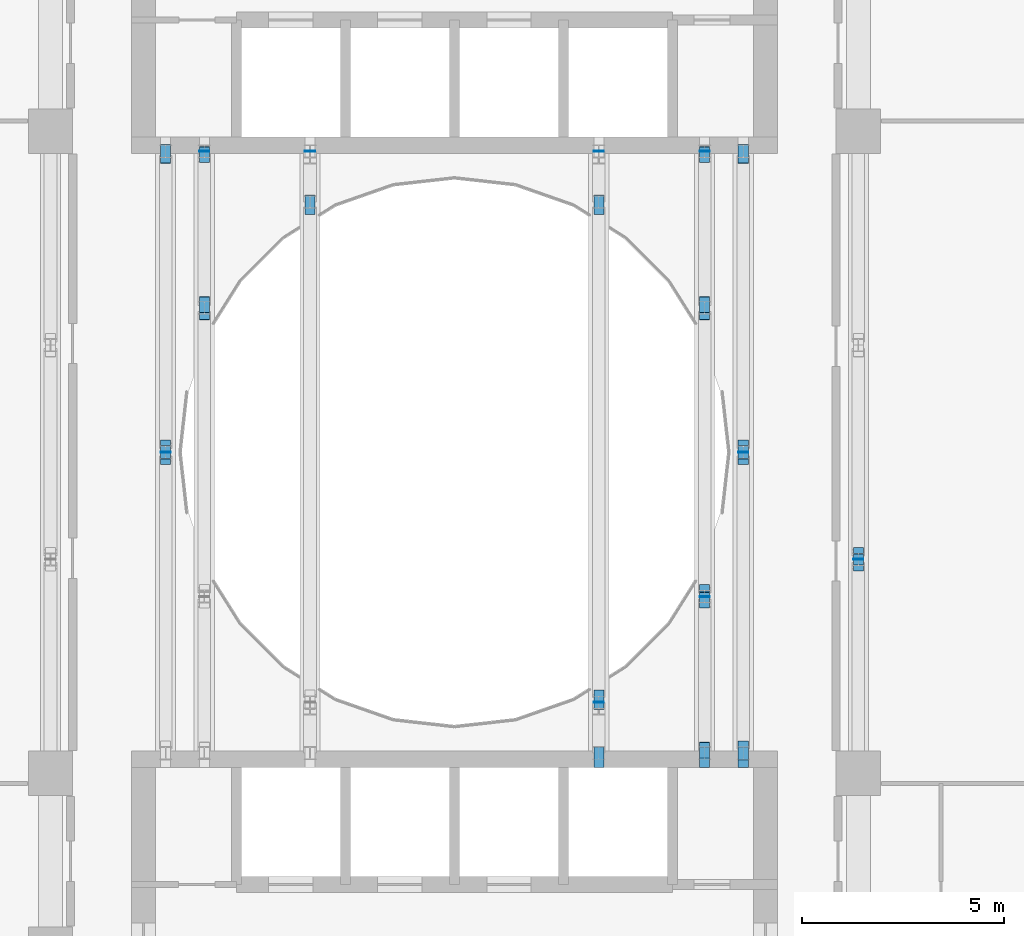
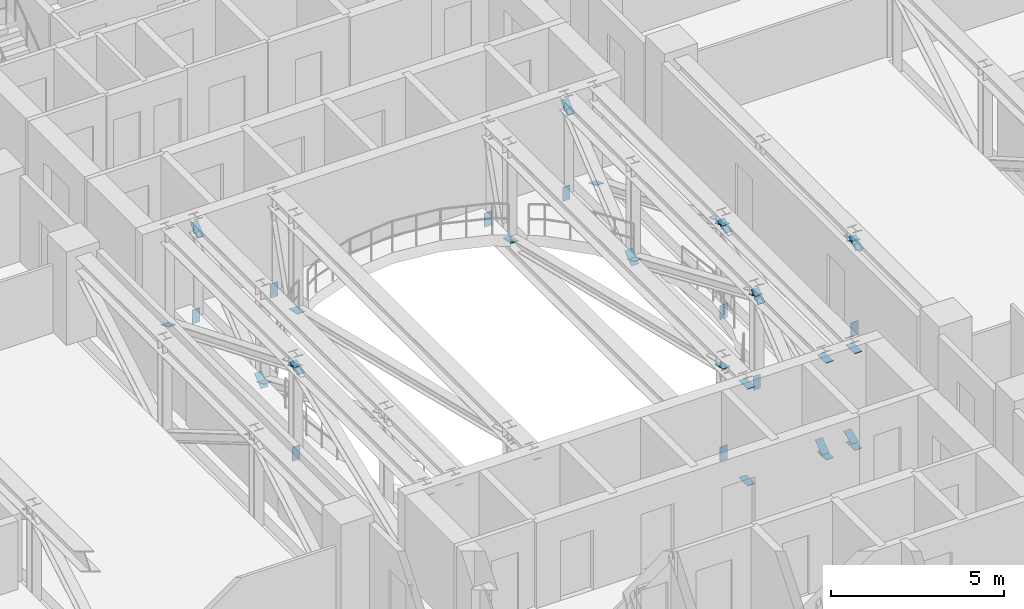
# One storey, part 13 of 18: 36 discrete accessories.
"""IFC4 building model written with IfcOpenShell, lengths in metres."""

from ifc_helpers import new_model, si_unit, direction, frame, origin, origin_2d, place, context, subcontext, project, spatial, rectangle, extrude, material, material_profile, profile_set, type_object, element, save


model = new_model("IFC4")

# Units and contexts
model_context = context("Model", 3, precision=1e-05, world=origin(), true_north=direction((0.0, 1.0)))
body_context = subcontext(model_context, "Body", "Model", "MODEL_VIEW")
ifc_project = project(units=[si_unit("LENGTHUNIT", "METRE"), si_unit("AREAUNIT", "SQUARE_METRE"), si_unit("VOLUMEUNIT", "CUBIC_METRE"), si_unit("PLANEANGLEUNIT", "RADIAN"), si_unit("MASSUNIT", "GRAM", prefix="KILO")], contexts=[model_context])

# Site, building, storey
site_placement = place(None, origin())
site = spatial("IfcSite", under=ifc_project, at=site_placement, CompositionType="ELEMENT")
building_placement = place(site_placement, origin())
building = spatial("IfcBuilding", under=site, at=building_placement, Name="Nakaniwa Court", CompositionType="ELEMENT")
storey_placement = place(building_placement, frame((0.0, 0.0, 38.10009765625)))
storey = spatial("IfcBuildingStorey", under=building, at=storey_placement, Name="L09", CompositionType="ELEMENT", Elevation=38.10009765625)

# Discrete accessories
ifc_material = material(Name="Steel Grade 350", Category="steel")
ifc_material_profile = material_profile(ifc_material, rectangle(XDim=0.25, YDim=0.02001953125, at=origin_2d()), Name="Truss end gusset plate 250x20")
ifc_profile_set = profile_set([ifc_material_profile], Name="Steel Grade 350")
discrete_accessory_type = type_object("IfcDiscreteAccessoryType", Name="Truss end gusset plate 250x20", PredefinedType="BRACKET", material=ifc_profile_set)
for number, where, z_axis, x_axis, name in (
    (1, (72.85009765625, 79.70068359375, 2.477783203125), (0.0, 0.924657875714, 0.380798913969), (-1.0, 0.0, 0.0), "Gusset plate GU-024"),
    (2, (72.85009765625, 80.29931640625, 2.477783203125), (0.0, -0.924657875714, 0.380798913969), (1.0, 0.0, 0.0), "Gusset plate GU-025"),
):
    element("IfcDiscreteAccessory", number, at=place(storey_placement, frame(where, z_axis=z_axis, x_axis=x_axis)), inside=storey, type_object=discrete_accessory_type, Name=name, PredefinedType="BRACKET", context=body_context, shape_type="SweptSolid", body=[
        extrude(rectangle(XDim=0.25, YDim=0.02001953125, at=origin_2d()), origin(), (0.0, 0.0, 1.0), 0.5),
    ])
discrete_accessory_1_placement = place(storey_placement, frame((72.85009765625, 87.15087890625, -0.343017578125), z_axis=(0.0, 0.92475901499, -0.380553234378), x_axis=(-1.0, 0.0, 0.0)))
element("IfcDiscreteAccessory", 3, at=discrete_accessory_1_placement, inside=storey, type_object=discrete_accessory_type, Name="Gusset plate GU-026", PredefinedType="BRACKET", context=body_context, shape_type="SweptSolid", body=[
    extrude(rectangle(XDim=0.25, YDim=0.02001953125, at=origin_2d()), origin(), (0.0, 0.0, 1.0), 0.499755859375),
])
discrete_accessory_2_placement = place(storey_placement, frame((72.85009765625, 80.0, -0.25), z_axis=(0.0, 0.0, -1.0), x_axis=(1.0, 0.0, 0.0)))
element("IfcDiscreteAccessory", 4, at=discrete_accessory_2_placement, inside=storey, type_object=discrete_accessory_type, Name="Gusset plate GU-027", PredefinedType="BRACKET", context=body_context, shape_type="SweptSolid", body=[
    extrude(rectangle(XDim=0.25, YDim=0.02001953125, at=origin_2d()), origin(), (0.0, 0.0, 1.0), 0.5),
])
for number, where, z_axis, x_axis, name in (
    (5, (73.807861328125, 83.276611328125, -0.3408203125), (0.0, 0.918715241067, -0.394920632318), (-1.0, 0.0, 0.0), "Gusset plate GU-035"),
    (6, (73.807861328125, 83.851318359375, -0.3046875), (0.0, -0.771253454842, -0.636528167794), (1.0, 0.0, 0.0), "Gusset plate GU-036"),
):
    element("IfcDiscreteAccessory", number, at=place(storey_placement, frame(where, z_axis=z_axis, x_axis=x_axis)), inside=storey, type_object=discrete_accessory_type, Name=name, PredefinedType="BRACKET", context=body_context, shape_type="SweptSolid", body=[
        extrude(rectangle(XDim=0.25, YDim=0.02001953125, at=origin_2d()), origin(), (0.0, 0.0, 1.0), 0.500244140625),
    ])
for number, where, z_axis, x_axis, name in (
    (7, (73.807861328125, 87.173828125, 2.439453125), (0.0, 0.771055566334, 0.636767864787), (-1.0, 0.0, 0.0), "Gusset plate GU-037"),
    (8, (73.807861328125, 87.449951171875, -0.25), (0.0, 0.0, -1.0), (1.0, 0.0, 0.0), "Gusset plate GU-039"),
):
    element("IfcDiscreteAccessory", number, at=place(storey_placement, frame(where, z_axis=z_axis, x_axis=x_axis)), inside=storey, type_object=discrete_accessory_type, Name=name, PredefinedType="BRACKET", context=body_context, shape_type="SweptSolid", body=[
        extrude(rectangle(XDim=0.25, YDim=0.02001953125, at=origin_2d()), origin(), (0.0, 0.0, 1.0), 0.5),
    ])
discrete_accessory_3_placement = place(storey_placement, frame((76.425048828125, 85.885986328125, -0.364501953125), z_axis=(0.0, 0.971534050057, -0.236899956902), x_axis=(-1.0, 0.0, 0.0)))
element("IfcDiscreteAccessory", 9, at=discrete_accessory_3_placement, inside=storey, type_object=discrete_accessory_type, Name="Gusset plate GU-045", PredefinedType="BRACKET", context=body_context, shape_type="SweptSolid", body=[
    extrude(rectangle(XDim=0.25, YDim=0.02001953125, at=origin_2d()), origin(), (0.0, 0.0, 1.0), 0.499755859375),
])
for number, where, z_axis, x_axis, name in (
    (10, (76.425048828125, 87.449951171875, -0.25), (0.0, 0.0, -1.0), (1.0, 0.0, 0.0), "Gusset plate GU-047"),
    (11, (83.574951171875, 72.699951171875, -0.64501953125), (0.0, -1.0, 0.0), (1.0, 0.0, 0.0), "Gusset plate GU-048"),
    (12, (83.574951171875, 72.699951171875, 2.77978515625), (0.0, -1.0, 0.0), (1.0, 0.0, 0.0), "Gusset plate GU-050"),
):
    element("IfcDiscreteAccessory", number, at=place(storey_placement, frame(where, z_axis=z_axis, x_axis=x_axis)), inside=storey, type_object=discrete_accessory_type, Name=name, PredefinedType="BRACKET", context=body_context, shape_type="SweptSolid", body=[
        extrude(rectangle(XDim=0.25, YDim=0.02001953125, at=origin_2d()), origin(), (0.0, 0.0, 1.0), 0.5),
    ])
for number, where, z_axis, x_axis, name in (
    (13, (83.574951171875, 74.114013671875, 2.49951171875), (0.0, -0.971646374327, 0.236438836186), (1.0, 0.0, 0.0), "Gusset plate GU-052"),
    (14, (83.574951171875, 85.885986328125, -0.364501953125), (0.0, 0.971534050057, -0.236899956902), (-1.0, 0.0, 0.0), "Gusset plate GU-053"),
):
    element("IfcDiscreteAccessory", number, at=place(storey_placement, frame(where, z_axis=z_axis, x_axis=x_axis)), inside=storey, type_object=discrete_accessory_type, Name=name, PredefinedType="BRACKET", context=body_context, shape_type="SweptSolid", body=[
        extrude(rectangle(XDim=0.25, YDim=0.02001953125, at=origin_2d()), origin(), (0.0, 0.0, 1.0), 0.499755859375),
    ])
for number, where, z_axis, x_axis, name in (
    (15, (83.574951171875, 73.807861328125, -0.25), (0.0, 0.0, -1.0), (1.0, 0.0, 0.0), "Gusset plate GU-054"),
    (16, (83.574951171875, 87.449951171875, -0.25), (0.0, 0.0, -1.0), (1.0, 0.0, 0.0), "Gusset plate GU-055"),
    (17, (86.192138671875, 72.699951171875, -0.64501953125), (0.0, -1.0, 0.0), (1.0, 0.0, 0.0), "Gusset plate GU-056"),
    (18, (86.192138671875, 72.699951171875, 2.77978515625), (0.0, -1.0, 0.0), (1.0, 0.0, 0.0), "Gusset plate GU-058"),
    (19, (86.192138671875, 72.826171875, -0.3046875), (0.0, -0.771055566334, -0.636767864787), (1.0, 0.0, 0.0), "Gusset plate GU-060"),
):
    element("IfcDiscreteAccessory", number, at=place(storey_placement, frame(where, z_axis=z_axis, x_axis=x_axis)), inside=storey, type_object=discrete_accessory_type, Name=name, PredefinedType="BRACKET", context=body_context, shape_type="SweptSolid", body=[
        extrude(rectangle(XDim=0.25, YDim=0.02001953125, at=origin_2d()), origin(), (0.0, 0.0, 1.0), 0.5),
    ])
for number, where, z_axis, x_axis, name in (
    (20, (86.192138671875, 76.148681640625, 2.439453125), (0.0, 0.771253454842, 0.636528167794), (-1.0, 0.0, 0.0), "Gusset plate GU-061"),
    (21, (86.192138671875, 76.723388671875, 2.4755859375), (0.0, -0.918715241067, 0.394920632318), (1.0, 0.0, 0.0), "Gusset plate GU-062"),
    (22, (86.192138671875, 83.276611328125, -0.3408203125), (0.0, 0.918715241067, -0.394920632318), (-1.0, 0.0, 0.0), "Gusset plate GU-063"),
    (23, (86.192138671875, 83.851318359375, -0.3046875), (0.0, -0.771253454842, -0.636528167794), (1.0, 0.0, 0.0), "Gusset plate GU-064"),
):
    element("IfcDiscreteAccessory", number, at=place(storey_placement, frame(where, z_axis=z_axis, x_axis=x_axis)), inside=storey, type_object=discrete_accessory_type, Name=name, PredefinedType="BRACKET", context=body_context, shape_type="SweptSolid", body=[
        extrude(rectangle(XDim=0.25, YDim=0.02001953125, at=origin_2d()), origin(), (0.0, 0.0, 1.0), 0.500244140625),
    ])
for number, where, z_axis, x_axis, name in (
    (24, (86.192138671875, 87.173828125, 2.439453125), (0.0, 0.771055566334, 0.636767864787), (-1.0, 0.0, 0.0), "Gusset plate GU-065"),
    (25, (86.192138671875, 76.425048828125, -0.25), (0.0, 0.0, -1.0), (1.0, 0.0, 0.0), "Gusset plate GU-066"),
    (26, (86.192138671875, 87.449951171875, -0.25), (0.0, 0.0, -1.0), (1.0, 0.0, 0.0), "Gusset plate GU-067"),
    (27, (87.14990234375, 72.699951171875, -0.64501953125), (0.0, -1.0, 0.0), (1.0, 0.0, 0.0), "Gusset plate GU-068"),
    (28, (87.14990234375, 72.699951171875, 2.77978515625), (0.0, -1.0, 0.0), (1.0, 0.0, 0.0), "Gusset plate GU-070"),
):
    element("IfcDiscreteAccessory", number, at=place(storey_placement, frame(where, z_axis=z_axis, x_axis=x_axis)), inside=storey, type_object=discrete_accessory_type, Name=name, PredefinedType="BRACKET", context=body_context, shape_type="SweptSolid", body=[
        extrude(rectangle(XDim=0.25, YDim=0.02001953125, at=origin_2d()), origin(), (0.0, 0.0, 1.0), 0.5),
    ])
discrete_accessory_4_placement = place(storey_placement, frame((87.14990234375, 72.84912109375, -0.343017578125), z_axis=(0.0, -0.92475901499, -0.380553234378), x_axis=(1.0, 0.0, 0.0)))
element("IfcDiscreteAccessory", 29, at=discrete_accessory_4_placement, inside=storey, type_object=discrete_accessory_type, Name="Gusset plate GU-072", PredefinedType="BRACKET", context=body_context, shape_type="SweptSolid", body=[
    extrude(rectangle(XDim=0.25, YDim=0.02001953125, at=origin_2d()), origin(), (0.0, 0.0, 1.0), 0.499755859375),
])
for number, where, z_axis, x_axis, name in (
    (30, (87.14990234375, 79.70068359375, 2.477783203125), (0.0, 0.924657875714, 0.380798913969), (-1.0, 0.0, 0.0), "Gusset plate GU-073"),
    (31, (87.14990234375, 80.29931640625, 2.477783203125), (0.0, -0.924657875714, 0.380798913969), (1.0, 0.0, 0.0), "Gusset plate GU-074"),
):
    element("IfcDiscreteAccessory", number, at=place(storey_placement, frame(where, z_axis=z_axis, x_axis=x_axis)), inside=storey, type_object=discrete_accessory_type, Name=name, PredefinedType="BRACKET", context=body_context, shape_type="SweptSolid", body=[
        extrude(rectangle(XDim=0.25, YDim=0.02001953125, at=origin_2d()), origin(), (0.0, 0.0, 1.0), 0.5),
    ])
discrete_accessory_5_placement = place(storey_placement, frame((87.14990234375, 87.15087890625, -0.343017578125), z_axis=(0.0, 0.92475901499, -0.380553234378), x_axis=(-1.0, 0.0, 0.0)))
element("IfcDiscreteAccessory", 32, at=discrete_accessory_5_placement, inside=storey, type_object=discrete_accessory_type, Name="Gusset plate GU-075", PredefinedType="BRACKET", context=body_context, shape_type="SweptSolid", body=[
    extrude(rectangle(XDim=0.25, YDim=0.02001953125, at=origin_2d()), origin(), (0.0, 0.0, 1.0), 0.499755859375),
])
for number, where, z_axis, x_axis, name in (
    (33, (87.14990234375, 80.0, -0.25), (0.0, 0.0, -1.0), (1.0, 0.0, 0.0), "Gusset plate GU-076"),
    (34, (90.0, 77.060302734375, 2.458740234375), (0.0, 0.861431643399, 0.507873531256), (-1.0, 0.0, 0.0), "Gusset plate GU-077"),
    (35, (90.0, 77.6396484375, 2.458740234375), (0.0, -0.861431643399, 0.507873531256), (1.0, 0.0, 0.0), "Gusset plate GU-078"),
    (36, (90.0, 77.35009765625, -0.25), (0.0, 0.0, -1.0), (1.0, 0.0, 0.0), "Gusset plate GU-081"),
):
    element("IfcDiscreteAccessory", number, at=place(storey_placement, frame(where, z_axis=z_axis, x_axis=x_axis)), inside=storey, type_object=discrete_accessory_type, Name=name, PredefinedType="BRACKET", context=body_context, shape_type="SweptSolid", body=[
        extrude(rectangle(XDim=0.25, YDim=0.02001953125, at=origin_2d()), origin(), (0.0, 0.0, 1.0), 0.5),
    ])

save(model, "model.ifc")
